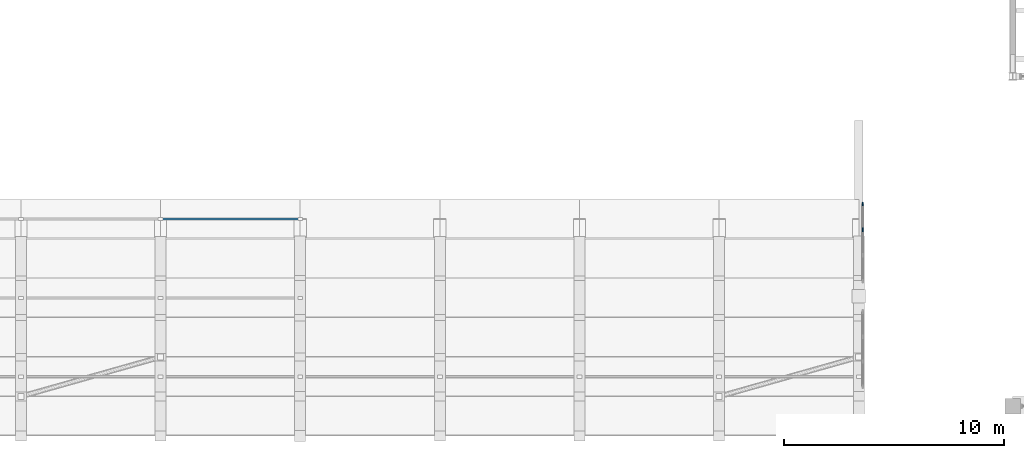
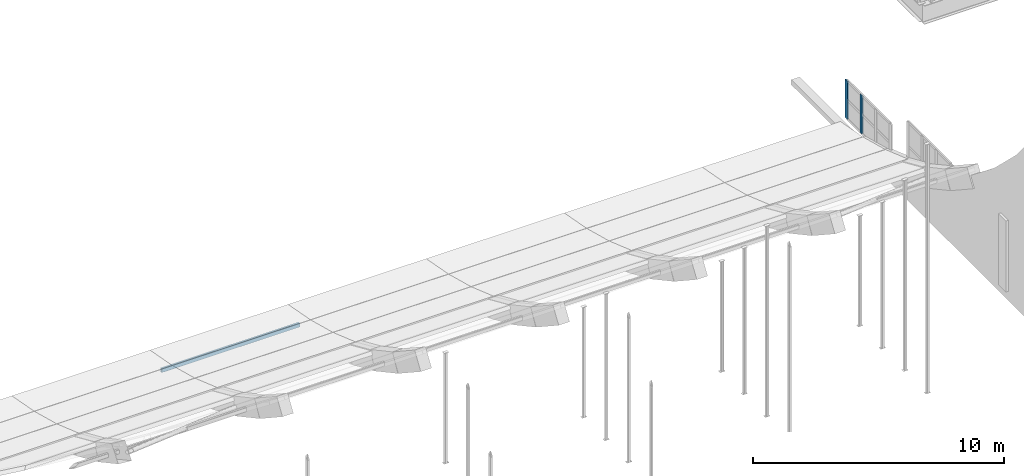
# One storey, part 36 of 77: 3 members, 1 element without a shape of its own.
"""IFC4 building model written with IfcOpenShell, lengths in metres."""

from ifc_helpers import new_model, si_unit, direction, frame, origin, origin_2d, place, context, subcontext, project, spatial, rectangle, hollow_rectangle, extrude, material, layer, layer_set, material_profile, profile_set, type_object, element, aggregate, save


model = new_model("IFC4")

# Units and contexts
model_context = context("Model", 3, precision=1e-05, world=origin(), true_north=direction((0.0, 1.0)))
body_context = subcontext(model_context, "Body", "Model", "MODEL_VIEW")
ifc_project = project(units=[si_unit("LENGTHUNIT", "METRE"), si_unit("AREAUNIT", "SQUARE_METRE"), si_unit("VOLUMEUNIT", "CUBIC_METRE"), si_unit("PLANEANGLEUNIT", "RADIAN"), si_unit("MASSUNIT", "GRAM", prefix="KILO")], contexts=[model_context])

# Site, building, storey
site_placement = place(None, origin())
site = spatial("IfcSite", under=ifc_project, at=site_placement, CompositionType="ELEMENT")
building_placement = place(site_placement, origin())
building = spatial("IfcBuilding", under=site, at=building_placement, Name="Trellovar Central Fire Station", CompositionType="ELEMENT")
storey_placement = place(building_placement, frame((0.0, 0.0, 5.85009765625)))
storey = spatial("IfcBuildingStorey", under=building, at=storey_placement, Name="L02", CompositionType="ELEMENT", Elevation=5.85009765625)

# Curtain wall, members
ifc_material_1 = material(Name="Thermally broken bronze anodized aluminum", Category="aluminium")
ifc_layer = layer(ifc_material_1, 0.159912109375)
ifc_layer_set = layer_set([ifc_layer], Name="Thermally broken bronze anodized aluminum")
curtain_wall_type = type_object("IfcCurtainWallType", Name="CW-07", PredefinedType="NOTDEFINED", material=ifc_layer_set)
curtain_wall_placement = place(storey_placement, origin())
curtain_wall = element("IfcCurtainWall", 1, at=curtain_wall_placement, inside=storey, type_object=curtain_wall_type, Name="V1 E ski-jump gable clerestory 5", PredefinedType="NOTDEFINED")
ifc_material_2 = material(Name="Thermally broken bronze anodized aluminum", Category="aluminium")
ifc_material_profile_1 = material_profile(ifc_material_2, rectangle(XDim=0.06494140625, YDim=0.175048828125, at=origin_2d()), Name="ALU65X175")
ifc_profile_set_1 = profile_set([ifc_material_profile_1], Name="Thermally broken bronze anodized aluminum")
member_type_1 = type_object("IfcMemberType", Name="CWM-2", PredefinedType="MULLION", material=ifc_profile_set_1)
member_1_placement = place(storey_placement, frame((98.679931640625, 41.033203125, 0.099853515625), z_axis=(0.0, 0.0, 1.0), x_axis=(1.0, 0.0, 0.0)))
member_1 = element("IfcMember", 2, at=member_1_placement, type_object=member_type_1, Name="CW3-L02-0020 mullion 3", PredefinedType="MULLION", context=body_context, shape_type="SweptSolid", body=[
    extrude(rectangle(XDim=0.06494140625, YDim=0.175048828125, at=origin_2d()), origin(), (0.0, 0.0, 1.0), 1.85009765625),
])
member_2_placement = place(storey_placement, frame((98.679931640625, 42.199951171875, 0.099853515625), z_axis=(0.0, 0.0, 1.0), x_axis=(1.0, 0.0, 0.0)))
member_2 = element("IfcMember", 3, at=member_2_placement, type_object=member_type_1, Name="CW3-L02-0020 mullion 4", PredefinedType="MULLION", context=body_context, shape_type="SweptSolid", body=[
    extrude(rectangle(XDim=0.06494140625, YDim=0.175048828125, at=origin_2d()), origin(), (0.0, 0.0, 1.0), 1.85009765625),
])
aggregate(curtain_wall, [member_1, member_2])

# Member
ifc_material_3 = material(Name="Steel ASTM A500 Grade C", Category="steel")
ifc_material_profile_2 = material_profile(ifc_material_3, hollow_rectangle(XDim=0.1015625, YDim=0.203125, WallThickness=0.0087890625, InnerFilletRadius=0.0087890625, OuterFilletRadius=0.017822265625, at=origin_2d()), Name="HSS8X4X3/8")
ifc_profile_set_2 = profile_set([ifc_material_profile_2], Name="Steel ASTM A500 Grade C")
member_type_2 = type_object("IfcMemberType", Name="MEM-PU1", PredefinedType="PURLIN", material=ifc_profile_set_2)
member_3_placement = place(storey_placement, frame((66.75, 41.5166015625, -0.55908203125), z_axis=(1.0, 0.0, 0.0), x_axis=(0.0, 1.0, 0.0)))
element("IfcMember", 4, at=member_3_placement, inside=storey, type_object=member_type_2, Name="Vault purlin V1-06-16", PredefinedType="PURLIN", context=body_context, shape_type="SweptSolid", body=[
    extrude(hollow_rectangle(XDim=0.1015625, YDim=0.203125, WallThickness=0.0087890625, InnerFilletRadius=0.0087890625, OuterFilletRadius=0.017822265625, at=origin_2d()), origin(), (0.0, 0.0, 1.0), 6.35009765625),
])

save(model, "model.ifc")
